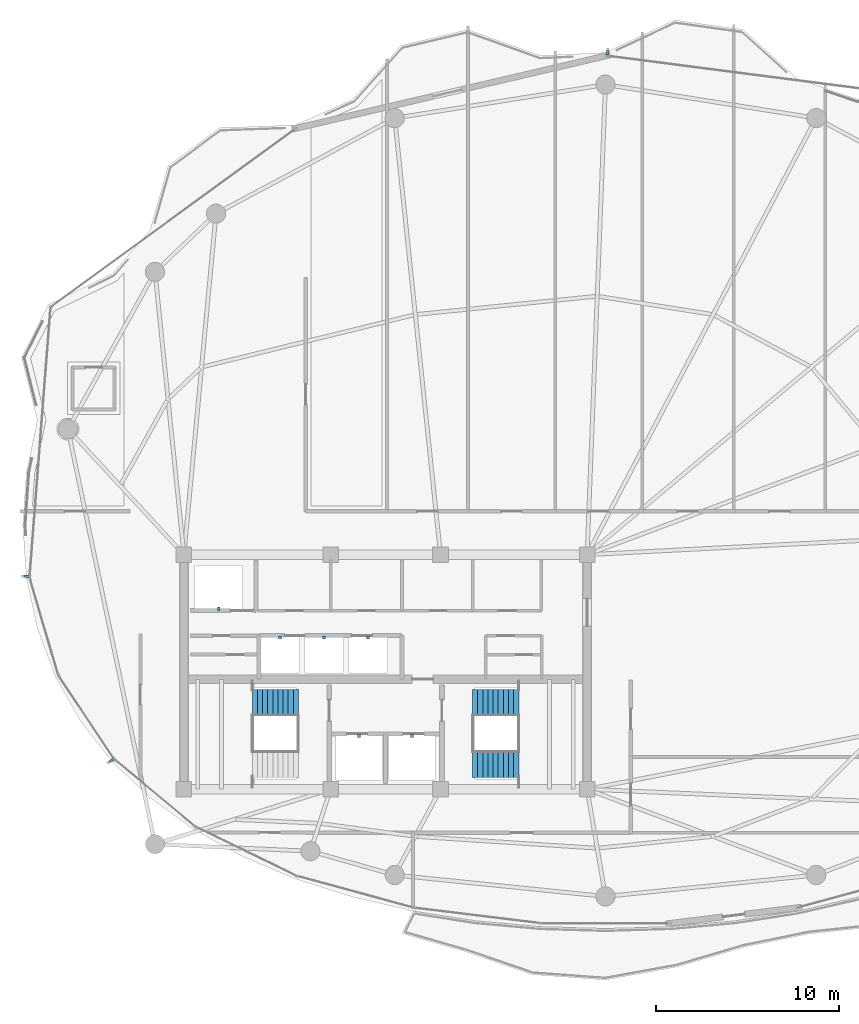
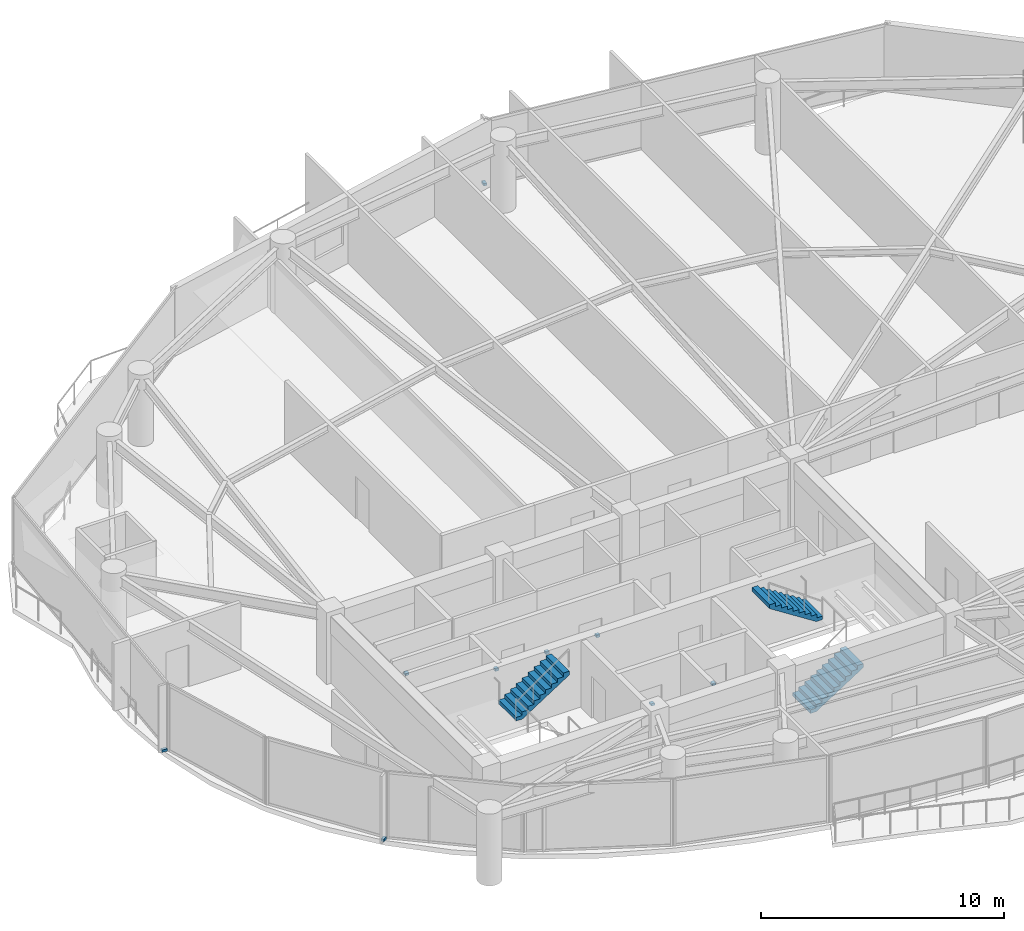
# One storey, part 27 of 30: 9 discrete accessories, 3 stair flights, 2 elements without a shape of their own.
"""IFC4 building model written with IfcOpenShell, lengths in metres."""

from ifc_helpers import new_model, si_unit, direction, frame, origin, origin_2d, place, context, subcontext, project, spatial, polyline, rectangle, outline, extrude, material, layer, layer_set, type_object, element, aggregate, save


model = new_model("IFC4")

# Units and contexts
model_context = context("Model", 3, precision=1e-05, world=origin(), true_north=direction((0.0, 1.0)))
body_context = subcontext(model_context, "Body", "Model", "MODEL_VIEW")
ifc_project = project(units=[si_unit("LENGTHUNIT", "METRE"), si_unit("AREAUNIT", "SQUARE_METRE"), si_unit("VOLUMEUNIT", "CUBIC_METRE"), si_unit("PLANEANGLEUNIT", "RADIAN"), si_unit("MASSUNIT", "GRAM", prefix="KILO")], contexts=[model_context])

# Site, building, storey
site_placement = place(None, origin())
site = spatial("IfcSite", under=ifc_project, at=site_placement, CompositionType="ELEMENT")
building_placement = place(site_placement, origin())
building = spatial("IfcBuilding", under=site, at=building_placement, Name="Kazevale Care Tower and Concert Hall", CompositionType="ELEMENT")
storey_placement = place(building_placement, frame((0.0, 0.0, 242.39990234375)))
storey = spatial("IfcBuildingStorey", under=building, at=storey_placement, Name="L64", CompositionType="ELEMENT", Elevation=242.39990234375)

# Stair, stair flight
ifc_material_1 = material(Name="Concrete C40", Category="concrete")
stair_type = type_object("IfcStairType", Name="Exit Stair Assembly ST1-Z3", PredefinedType="HALF_TURN_STAIR", material=ifc_material_1)
stair_1_placement = place(storey_placement, origin())
stair_1 = element("IfcStair", 1, at=stair_1_placement, inside=storey, type_object=stair_type, Name="stair:L64:ST1", PredefinedType="HALF_TURN_STAIR")
ifc_layer = layer(ifc_material_1, 0.159912109375)
ifc_layer_set = layer_set([ifc_layer], Name="Concrete C40")
stair_flight_type = type_object("IfcStairFlightType", Name="Exit Stair Flight ST1-Z3", PredefinedType="STRAIGHT", material=ifc_layer_set)
stair_flight_1_placement = place(storey_placement, frame((25.72998046875, 28.324951171875, 1.800048828125), z_axis=(0.0, 0.0, 1.0), x_axis=(1.0, 0.0, 0.0)))
stair_flight_1 = element("IfcStairFlight", 2, at=stair_flight_1_placement, type_object=stair_flight_type, Name="ST1-Z3 flight 2", NumberOfRisers=10, NumberOfTreads=9, PredefinedType="STRAIGHT", RiserHeight=0.18, TreadLength=0.28, context=body_context, shape_type="SweptSolid", body=[
    extrude(outline(polyline([(0.0, 0.0), (0.0, 0.179931640625), (0.280029296875, 0.179931640625), (0.280029296875, 0.360107421875), (0.56005859375, 0.360107421875), (0.56005859375, 0.5400390625), (0.840087890625, 0.5400390625), (0.840087890625, 0.719970703125), (1.1201171875, 0.719970703125), (1.1201171875, 0.89990234375), (1.39990234375, 0.89990234375), (1.39990234375, 1.080078125), (1.679931640625, 1.080078125), (1.679931640625, 1.260009765625), (1.9599609375, 1.260009765625), (1.9599609375, 1.43994140625), (2.239990234375, 1.43994140625), (2.239990234375, 1.6201171875), (2.52001953125, 1.6201171875), (2.52001953125, 1.800048828125), (2.52001953125, 1.429931640625), (0.295654296875, 0.0), (0.0, 0.0)])), frame((0.0, 0.72509765625, 0.0), z_axis=(0.0, -1.0, 0.0), x_axis=(1.0, 0.0, 0.0)), (0.0, 0.0, 1.0), 1.449951171875),
])
aggregate(stair_1, [stair_flight_1])

# Stair, stair flights
stair_2_placement = place(storey_placement, origin())
stair_2 = element("IfcStair", 3, at=stair_2_placement, inside=storey, type_object=stair_type, Name="stair:L64:ST2", PredefinedType="HALF_TURN_STAIR")
stair_flight_2_placement = place(storey_placement, frame((37.75, 24.97509765625, 0.0), z_axis=(0.0, 0.0, 1.0), x_axis=(1.0, 0.0, 0.0)))
stair_flight_2 = element("IfcStairFlight", 4, at=stair_flight_2_placement, type_object=stair_flight_type, Name="ST1-Z3 flight 1", NumberOfRisers=10, NumberOfTreads=9, PredefinedType="STRAIGHT", RiserHeight=0.18, TreadLength=0.28, context=body_context, shape_type="SweptSolid", body=[
    extrude(outline(polyline([(0.0, 0.0), (0.0, 0.179931640625), (0.280029296875, 0.179931640625), (0.280029296875, 0.360107421875), (0.56005859375, 0.360107421875), (0.56005859375, 0.5400390625), (0.840087890625, 0.5400390625), (0.840087890625, 0.719970703125), (1.1201171875, 0.719970703125), (1.1201171875, 0.89990234375), (1.39990234375, 0.89990234375), (1.39990234375, 1.080078125), (1.679931640625, 1.080078125), (1.679931640625, 1.260009765625), (1.9599609375, 1.260009765625), (1.9599609375, 1.43994140625), (2.239990234375, 1.43994140625), (2.239990234375, 1.6201171875), (2.52001953125, 1.6201171875), (2.52001953125, 1.800048828125), (2.52001953125, 1.429931640625), (0.295654296875, 0.0), (0.0, 0.0)])), frame((0.0, 0.72509765625, 0.0), z_axis=(0.0, -1.0, 0.0), x_axis=(1.0, 0.0, 0.0)), (0.0, 0.0, 1.0), 1.449951171875),
])
stair_flight_3_placement = place(storey_placement, frame((40.27001953125, 28.324951171875, 1.800048828125), z_axis=(0.0, 0.0, 1.0), x_axis=(-1.0, 0.0, 0.0)))
stair_flight_3 = element("IfcStairFlight", 5, at=stair_flight_3_placement, type_object=stair_flight_type, Name="ST1-Z3 flight 2", NumberOfRisers=10, NumberOfTreads=9, PredefinedType="STRAIGHT", RiserHeight=0.18, TreadLength=0.28, context=body_context, shape_type="SweptSolid", body=[
    extrude(outline(polyline([(0.0, 0.0), (0.0, 0.179931640625), (0.280029296875, 0.179931640625), (0.280029296875, 0.360107421875), (0.56005859375, 0.360107421875), (0.56005859375, 0.5400390625), (0.840087890625, 0.5400390625), (0.840087890625, 0.719970703125), (1.1201171875, 0.719970703125), (1.1201171875, 0.89990234375), (1.39990234375, 0.89990234375), (1.39990234375, 1.080078125), (1.679931640625, 1.080078125), (1.679931640625, 1.260009765625), (1.9599609375, 1.260009765625), (1.9599609375, 1.43994140625), (2.239990234375, 1.43994140625), (2.239990234375, 1.6201171875), (2.52001953125, 1.6201171875), (2.52001953125, 1.800048828125), (2.52001953125, 1.429931640625), (0.295654296875, 0.0), (0.0, 0.0)])), frame((0.0, 0.72509765625, 0.0), z_axis=(0.0, -1.0, 0.0), x_axis=(1.0, 0.0, 0.0)), (0.0, 0.0, 1.0), 1.449951171875),
])
aggregate(stair_2, [stair_flight_2, stair_flight_3])

# Discrete accessories
ifc_material_2 = material(Name="Stainless Steel 316", Category="steel")
discrete_accessory_type_1 = type_object("IfcDiscreteAccessoryType", Name="Facade Fin Stainless Anchor Bracket BRK-1", PredefinedType="BRACKET", material=ifc_material_2)
for number, where, z_axis, x_axis, name in (
    (6, (18.04443359375, 25.1689453125, 0.0), (0.0, 0.0, 1.0), (-0.832147748683, -0.554553986878, 0.0), "cw:L64:f11:brk"),
    (7, (13.41259765625, 35.210205078125, 0.0), (0.0, 0.0, 1.0), (-0.996985422604, 0.077589091471, 0.0), "cw:L64:f13:brk"),
    (8, (45.10546875, 63.785400390625, 0.0), (0.0, 0.0, 1.0), (0.128103248172, 0.991760837, 0.0), "cw:L64:f16:brk"),
):
    element("IfcDiscreteAccessory", number, at=place(storey_placement, frame(where, z_axis=z_axis, x_axis=x_axis)), inside=storey, type_object=discrete_accessory_type_1, Name=name, PredefinedType="BRACKET", context=body_context, shape_type="SweptSolid", body=[
        extrude(rectangle(XDim=0.239990234375, YDim=0.139892578125, at=origin_2d()), origin(), (0.0, 0.0, 1.0), 0.1201171875),
    ])
discrete_accessory_type_2 = type_object("IfcDiscreteAccessoryType", Name="Hoistway Guide-Rail Wall Bracket HBRK-1", PredefinedType="BRACKET", material=ifc_material_2)
for number, where, z_axis, x_axis, name in (
    (9, (31.550048828125, 26.52001953125, 1.239990234375), (0.0, 0.0, 1.0), (1.0, 0.0, 0.0), "hbrk:FFL-1:L64"),
    (10, (34.449951171875, 26.52001953125, 1.239990234375), (0.0, 0.0, 1.0), (1.0, 0.0, 0.0), "hbrk:FFL-2:L64"),
    (11, (23.89990234375, 33.449951171875, 1.239990234375), (0.0, 0.0, 1.0), (1.0, 0.0, 0.0), "hbrk:SVL-1:L64"),
    (12, (27.25, 31.8798828125, 1.239990234375), (0.0, 0.0, 1.0), (1.0, 0.0, 0.0), "hbrk:PH-1:L64"),
    (13, (29.64990234375, 31.8798828125, 1.239990234375), (0.0, 0.0, 1.0), (1.0, 0.0, 0.0), "hbrk:PH-2:L64"),
    (14, (32.050048828125, 31.8798828125, 1.239990234375), (0.0, 0.0, 1.0), (1.0, 0.0, 0.0), "hbrk:PH-3:L64"),
):
    element("IfcDiscreteAccessory", number, at=place(storey_placement, frame(where, z_axis=z_axis, x_axis=x_axis)), inside=storey, type_object=discrete_accessory_type_2, Name=name, PredefinedType="BRACKET", context=body_context, shape_type="SweptSolid", body=[
        extrude(rectangle(XDim=0.159912109375, YDim=0.179931640625, at=origin_2d()), origin(), (0.0, 0.0, 1.0), 0.1201171875),
    ])

save(model, "model.ifc")
